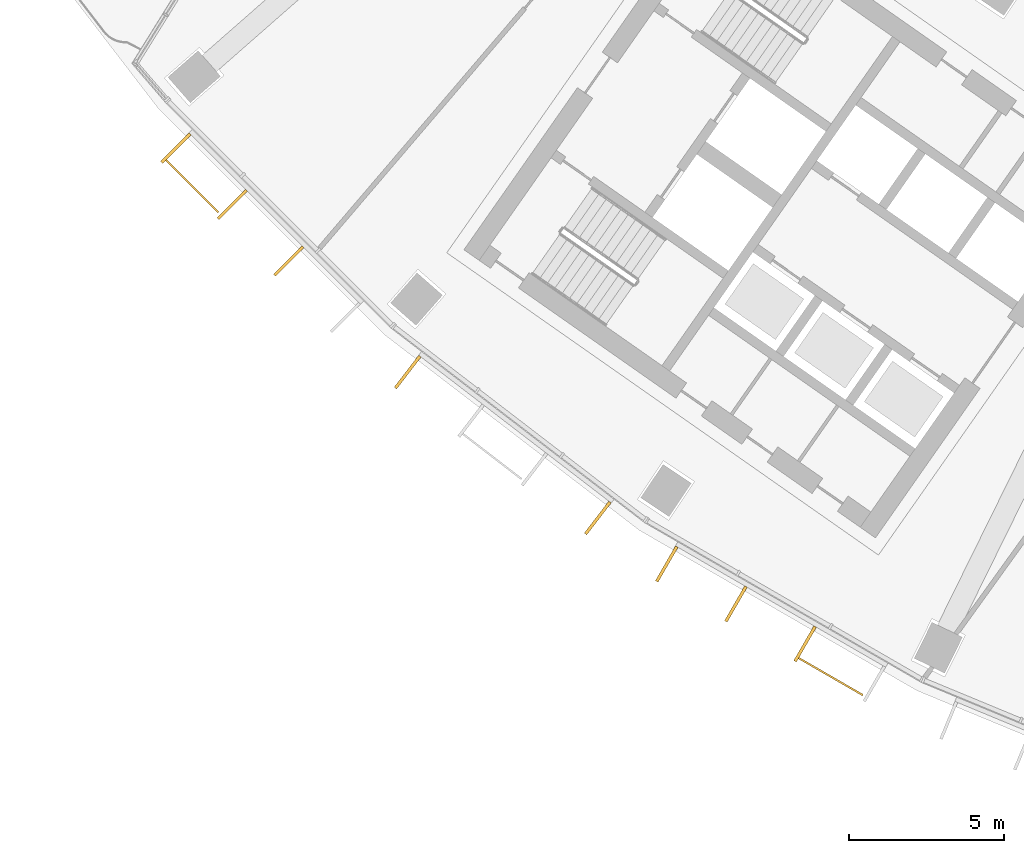
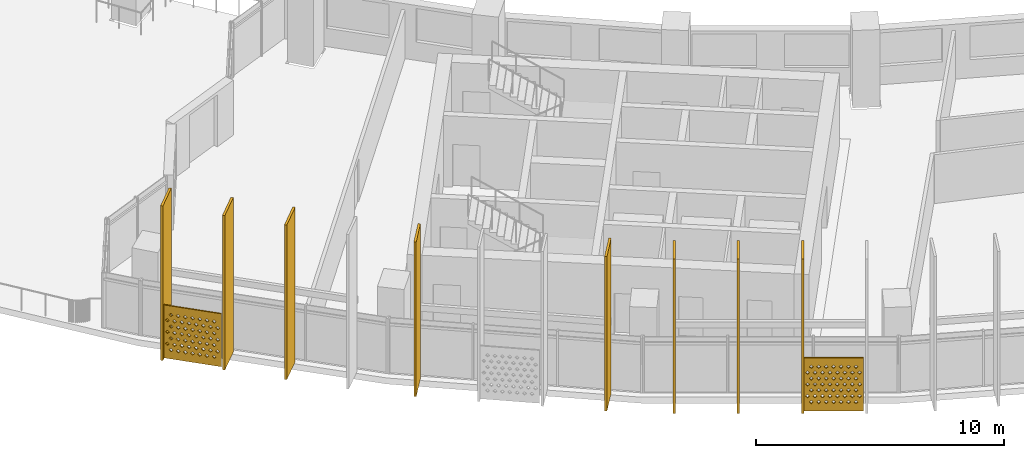
# One storey, part 21 of 31: 10 shading devices.
"""IFC4 building model written with IfcOpenShell, lengths in metres."""

from ifc_helpers import new_model, si_unit, direction, frame, origin, origin_2d, place, context, subcontext, project, spatial, polyline, rectangle, outline, extrude, material, material_profile, profile_set, type_object, element, save


model = new_model("IFC4")

# Units and contexts
model_context = context("Model", 3, precision=1e-05, world=origin(), true_north=direction((0.0, 1.0)))
body_context = subcontext(model_context, "Body", "Model", "MODEL_VIEW")
ifc_project = project(units=[si_unit("LENGTHUNIT", "METRE"), si_unit("AREAUNIT", "SQUARE_METRE"), si_unit("VOLUMEUNIT", "CUBIC_METRE"), si_unit("PLANEANGLEUNIT", "RADIAN"), si_unit("MASSUNIT", "GRAM", prefix="KILO")], contexts=[model_context])

# Site, building, storey
site_placement = place(None, origin())
site = spatial("IfcSite", under=ifc_project, at=site_placement, CompositionType="ELEMENT")
building_placement = place(site_placement, origin())
building = spatial("IfcBuilding", under=site, at=building_placement, Name="Qamariyya Broadcast Tower", CompositionType="ELEMENT")
storey_placement = place(building_placement, frame((0.0, 0.0, 149.300048828125)))
storey = spatial("IfcBuildingStorey", under=building, at=storey_placement, Name="L34", CompositionType="ELEMENT", Elevation=149.300048828125)

# Shading devices
ifc_material_1 = material(Name="Perforated glazed terracotta", Category="masonry")
ifc_material_profile_1 = material_profile(ifc_material_1, outline(polyline([(-1.199951171875, -1.300048828125), (1.199951171875, -1.300048828125), (1.199951171875, 1.300048828125), (-1.199951171875, 1.300048828125), (-1.199951171875, -1.300048828125)]), holes=[polyline([(-0.81494140625, -0.86669921875), (-0.89990234375, -0.78173828125), (-0.985107421875, -0.86669921875), (-0.89990234375, -0.95166015625), (-0.81494140625, -0.86669921875)]), polyline([(-0.514892578125, -0.86669921875), (-0.60009765625, -0.78173828125), (-0.68505859375, -0.86669921875), (-0.60009765625, -0.95166015625), (-0.514892578125, -0.86669921875)]), polyline([(-0.215087890625, -0.86669921875), (-0.300048828125, -0.78173828125), (-0.385009765625, -0.86669921875), (-0.300048828125, -0.95166015625), (-0.215087890625, -0.86669921875)]), polyline([(0.0849609375, -0.86669921875), (0.0, -0.78173828125), (-0.0849609375, -0.86669921875), (0.0, -0.95166015625), (0.0849609375, -0.86669921875)]), polyline([(0.385009765625, -0.86669921875), (0.300048828125, -0.78173828125), (0.215087890625, -0.86669921875), (0.300048828125, -0.95166015625), (0.385009765625, -0.86669921875)]), polyline([(0.68505859375, -0.86669921875), (0.60009765625, -0.78173828125), (0.514892578125, -0.86669921875), (0.60009765625, -0.95166015625), (0.68505859375, -0.86669921875)]), polyline([(0.985107421875, -0.86669921875), (0.89990234375, -0.78173828125), (0.81494140625, -0.86669921875), (0.89990234375, -0.95166015625), (0.985107421875, -0.86669921875)]), polyline([(-0.965087890625, -0.577880859375), (-1.050048828125, -0.49267578125), (-1.135009765625, -0.577880859375), (-1.050048828125, -0.662841796875), (-0.965087890625, -0.577880859375)]), polyline([(-0.6650390625, -0.577880859375), (-0.75, -0.49267578125), (-0.8349609375, -0.577880859375), (-0.75, -0.662841796875), (-0.6650390625, -0.577880859375)]), polyline([(-0.364990234375, -0.577880859375), (-0.449951171875, -0.49267578125), (-0.534912109375, -0.577880859375), (-0.449951171875, -0.662841796875), (-0.364990234375, -0.577880859375)]), polyline([(-0.06494140625, -0.577880859375), (-0.14990234375, -0.49267578125), (-0.235107421875, -0.577880859375), (-0.14990234375, -0.662841796875), (-0.06494140625, -0.577880859375)]), polyline([(0.235107421875, -0.577880859375), (0.14990234375, -0.49267578125), (0.06494140625, -0.577880859375), (0.14990234375, -0.662841796875), (0.235107421875, -0.577880859375)]), polyline([(0.534912109375, -0.577880859375), (0.449951171875, -0.49267578125), (0.364990234375, -0.577880859375), (0.449951171875, -0.662841796875), (0.534912109375, -0.577880859375)]), polyline([(0.8349609375, -0.577880859375), (0.75, -0.49267578125), (0.6650390625, -0.577880859375), (0.75, -0.662841796875), (0.8349609375, -0.577880859375)]), polyline([(1.135009765625, -0.577880859375), (1.050048828125, -0.49267578125), (0.965087890625, -0.577880859375), (1.050048828125, -0.662841796875), (1.135009765625, -0.577880859375)]), polyline([(-0.81494140625, -0.288818359375), (-0.89990234375, -0.203857421875), (-0.985107421875, -0.288818359375), (-0.89990234375, -0.373779296875), (-0.81494140625, -0.288818359375)]), polyline([(-0.514892578125, -0.288818359375), (-0.60009765625, -0.203857421875), (-0.68505859375, -0.288818359375), (-0.60009765625, -0.373779296875), (-0.514892578125, -0.288818359375)]), polyline([(-0.215087890625, -0.288818359375), (-0.300048828125, -0.203857421875), (-0.385009765625, -0.288818359375), (-0.300048828125, -0.373779296875), (-0.215087890625, -0.288818359375)]), polyline([(0.0849609375, -0.288818359375), (0.0, -0.203857421875), (-0.0849609375, -0.288818359375), (0.0, -0.373779296875), (0.0849609375, -0.288818359375)]), polyline([(0.385009765625, -0.288818359375), (0.300048828125, -0.203857421875), (0.215087890625, -0.288818359375), (0.300048828125, -0.373779296875), (0.385009765625, -0.288818359375)]), polyline([(0.68505859375, -0.288818359375), (0.60009765625, -0.203857421875), (0.514892578125, -0.288818359375), (0.60009765625, -0.373779296875), (0.68505859375, -0.288818359375)]), polyline([(0.985107421875, -0.288818359375), (0.89990234375, -0.203857421875), (0.81494140625, -0.288818359375), (0.89990234375, -0.373779296875), (0.985107421875, -0.288818359375)]), polyline([(-0.965087890625, 0.0), (-1.050048828125, 0.0849609375), (-1.135009765625, 0.0), (-1.050048828125, -0.0849609375), (-0.965087890625, 0.0)]), polyline([(-0.6650390625, 0.0), (-0.75, 0.0849609375), (-0.8349609375, 0.0), (-0.75, -0.0849609375), (-0.6650390625, 0.0)]), polyline([(-0.364990234375, 0.0), (-0.449951171875, 0.0849609375), (-0.534912109375, 0.0), (-0.449951171875, -0.0849609375), (-0.364990234375, 0.0)]), polyline([(-0.06494140625, 0.0), (-0.14990234375, 0.0849609375), (-0.235107421875, 0.0), (-0.14990234375, -0.0849609375), (-0.06494140625, 0.0)]), polyline([(0.235107421875, 0.0), (0.14990234375, 0.0849609375), (0.06494140625, 0.0), (0.14990234375, -0.0849609375), (0.235107421875, 0.0)]), polyline([(0.534912109375, 0.0), (0.449951171875, 0.0849609375), (0.364990234375, 0.0), (0.449951171875, -0.0849609375), (0.534912109375, 0.0)]), polyline([(0.8349609375, 0.0), (0.75, 0.0849609375), (0.6650390625, 0.0), (0.75, -0.0849609375), (0.8349609375, 0.0)]), polyline([(1.135009765625, 0.0), (1.050048828125, 0.0849609375), (0.965087890625, 0.0), (1.050048828125, -0.0849609375), (1.135009765625, 0.0)]), polyline([(-0.81494140625, 0.288818359375), (-0.89990234375, 0.373779296875), (-0.985107421875, 0.288818359375), (-0.89990234375, 0.203857421875), (-0.81494140625, 0.288818359375)]), polyline([(-0.514892578125, 0.288818359375), (-0.60009765625, 0.373779296875), (-0.68505859375, 0.288818359375), (-0.60009765625, 0.203857421875), (-0.514892578125, 0.288818359375)]), polyline([(-0.215087890625, 0.288818359375), (-0.300048828125, 0.373779296875), (-0.385009765625, 0.288818359375), (-0.300048828125, 0.203857421875), (-0.215087890625, 0.288818359375)]), polyline([(0.0849609375, 0.288818359375), (0.0, 0.373779296875), (-0.0849609375, 0.288818359375), (0.0, 0.203857421875), (0.0849609375, 0.288818359375)]), polyline([(0.385009765625, 0.288818359375), (0.300048828125, 0.373779296875), (0.215087890625, 0.288818359375), (0.300048828125, 0.203857421875), (0.385009765625, 0.288818359375)]), polyline([(0.68505859375, 0.288818359375), (0.60009765625, 0.373779296875), (0.514892578125, 0.288818359375), (0.60009765625, 0.203857421875), (0.68505859375, 0.288818359375)]), polyline([(0.985107421875, 0.288818359375), (0.89990234375, 0.373779296875), (0.81494140625, 0.288818359375), (0.89990234375, 0.203857421875), (0.985107421875, 0.288818359375)]), polyline([(-0.965087890625, 0.577880859375), (-1.050048828125, 0.662841796875), (-1.135009765625, 0.577880859375), (-1.050048828125, 0.49267578125), (-0.965087890625, 0.577880859375)]), polyline([(-0.6650390625, 0.577880859375), (-0.75, 0.662841796875), (-0.8349609375, 0.577880859375), (-0.75, 0.49267578125), (-0.6650390625, 0.577880859375)]), polyline([(-0.364990234375, 0.577880859375), (-0.449951171875, 0.662841796875), (-0.534912109375, 0.577880859375), (-0.449951171875, 0.49267578125), (-0.364990234375, 0.577880859375)]), polyline([(-0.06494140625, 0.577880859375), (-0.14990234375, 0.662841796875), (-0.235107421875, 0.577880859375), (-0.14990234375, 0.49267578125), (-0.06494140625, 0.577880859375)]), polyline([(0.235107421875, 0.577880859375), (0.14990234375, 0.662841796875), (0.06494140625, 0.577880859375), (0.14990234375, 0.49267578125), (0.235107421875, 0.577880859375)]), polyline([(0.534912109375, 0.577880859375), (0.449951171875, 0.662841796875), (0.364990234375, 0.577880859375), (0.449951171875, 0.49267578125), (0.534912109375, 0.577880859375)]), polyline([(0.8349609375, 0.577880859375), (0.75, 0.662841796875), (0.6650390625, 0.577880859375), (0.75, 0.49267578125), (0.8349609375, 0.577880859375)]), polyline([(1.135009765625, 0.577880859375), (1.050048828125, 0.662841796875), (0.965087890625, 0.577880859375), (1.050048828125, 0.49267578125), (1.135009765625, 0.577880859375)]), polyline([(-0.81494140625, 0.86669921875), (-0.89990234375, 0.95166015625), (-0.985107421875, 0.86669921875), (-0.89990234375, 0.78173828125), (-0.81494140625, 0.86669921875)]), polyline([(-0.514892578125, 0.86669921875), (-0.60009765625, 0.95166015625), (-0.68505859375, 0.86669921875), (-0.60009765625, 0.78173828125), (-0.514892578125, 0.86669921875)]), polyline([(-0.215087890625, 0.86669921875), (-0.300048828125, 0.95166015625), (-0.385009765625, 0.86669921875), (-0.300048828125, 0.78173828125), (-0.215087890625, 0.86669921875)]), polyline([(0.0849609375, 0.86669921875), (0.0, 0.95166015625), (-0.0849609375, 0.86669921875), (0.0, 0.78173828125), (0.0849609375, 0.86669921875)]), polyline([(0.385009765625, 0.86669921875), (0.300048828125, 0.95166015625), (0.215087890625, 0.86669921875), (0.300048828125, 0.78173828125), (0.385009765625, 0.86669921875)]), polyline([(0.68505859375, 0.86669921875), (0.60009765625, 0.95166015625), (0.514892578125, 0.86669921875), (0.60009765625, 0.78173828125), (0.68505859375, 0.86669921875)]), polyline([(0.985107421875, 0.86669921875), (0.89990234375, 0.95166015625), (0.81494140625, 0.86669921875), (0.89990234375, 0.78173828125), (0.985107421875, 0.86669921875)])]))
ifc_profile_set_1 = profile_set([ifc_material_profile_1], Name="Perforated glazed terracotta")
shading_device_type_1 = type_object("IfcShadingDeviceType", Name="Perforated terracotta screen 2400 x 2600", PredefinedType="USERDEFINED", material=ifc_profile_set_1)
shading_device_1_placement = place(storey_placement, frame((-58.49609375, -54.78369140625, 1.349853515625), z_axis=(-0.709141608176, -0.705066081692, 0.0), x_axis=(0.705066081692, -0.709141608176, 0.0)))
element("IfcShadingDevice", 1, at=shading_device_1_placement, inside=storey, type_object=shading_device_type_1, Name="e-scr-L34-01-0", ObjectType="SCREEN", PredefinedType="USERDEFINED", context=body_context, shape_type="SweptSolid", body=[
    extrude(outline(polyline([(-1.199951171875, -1.300048828125), (1.199951171875, -1.300048828125), (1.199951171875, 1.300048828125), (-1.199951171875, 1.300048828125), (-1.199951171875, -1.300048828125)]), holes=[polyline([(-0.81494140625, -0.86669921875), (-0.89990234375, -0.78173828125), (-0.985107421875, -0.86669921875), (-0.89990234375, -0.95166015625), (-0.81494140625, -0.86669921875)]), polyline([(-0.514892578125, -0.86669921875), (-0.60009765625, -0.78173828125), (-0.68505859375, -0.86669921875), (-0.60009765625, -0.95166015625), (-0.514892578125, -0.86669921875)]), polyline([(-0.215087890625, -0.86669921875), (-0.300048828125, -0.78173828125), (-0.385009765625, -0.86669921875), (-0.300048828125, -0.95166015625), (-0.215087890625, -0.86669921875)]), polyline([(0.0849609375, -0.86669921875), (0.0, -0.78173828125), (-0.0849609375, -0.86669921875), (0.0, -0.95166015625), (0.0849609375, -0.86669921875)]), polyline([(0.385009765625, -0.86669921875), (0.300048828125, -0.78173828125), (0.215087890625, -0.86669921875), (0.300048828125, -0.95166015625), (0.385009765625, -0.86669921875)]), polyline([(0.68505859375, -0.86669921875), (0.60009765625, -0.78173828125), (0.514892578125, -0.86669921875), (0.60009765625, -0.95166015625), (0.68505859375, -0.86669921875)]), polyline([(0.985107421875, -0.86669921875), (0.89990234375, -0.78173828125), (0.81494140625, -0.86669921875), (0.89990234375, -0.95166015625), (0.985107421875, -0.86669921875)]), polyline([(-0.965087890625, -0.577880859375), (-1.050048828125, -0.49267578125), (-1.135009765625, -0.577880859375), (-1.050048828125, -0.662841796875), (-0.965087890625, -0.577880859375)]), polyline([(-0.6650390625, -0.577880859375), (-0.75, -0.49267578125), (-0.8349609375, -0.577880859375), (-0.75, -0.662841796875), (-0.6650390625, -0.577880859375)]), polyline([(-0.364990234375, -0.577880859375), (-0.449951171875, -0.49267578125), (-0.534912109375, -0.577880859375), (-0.449951171875, -0.662841796875), (-0.364990234375, -0.577880859375)]), polyline([(-0.06494140625, -0.577880859375), (-0.14990234375, -0.49267578125), (-0.235107421875, -0.577880859375), (-0.14990234375, -0.662841796875), (-0.06494140625, -0.577880859375)]), polyline([(0.235107421875, -0.577880859375), (0.14990234375, -0.49267578125), (0.06494140625, -0.577880859375), (0.14990234375, -0.662841796875), (0.235107421875, -0.577880859375)]), polyline([(0.534912109375, -0.577880859375), (0.449951171875, -0.49267578125), (0.364990234375, -0.577880859375), (0.449951171875, -0.662841796875), (0.534912109375, -0.577880859375)]), polyline([(0.8349609375, -0.577880859375), (0.75, -0.49267578125), (0.6650390625, -0.577880859375), (0.75, -0.662841796875), (0.8349609375, -0.577880859375)]), polyline([(1.135009765625, -0.577880859375), (1.050048828125, -0.49267578125), (0.965087890625, -0.577880859375), (1.050048828125, -0.662841796875), (1.135009765625, -0.577880859375)]), polyline([(-0.81494140625, -0.288818359375), (-0.89990234375, -0.203857421875), (-0.985107421875, -0.288818359375), (-0.89990234375, -0.373779296875), (-0.81494140625, -0.288818359375)]), polyline([(-0.514892578125, -0.288818359375), (-0.60009765625, -0.203857421875), (-0.68505859375, -0.288818359375), (-0.60009765625, -0.373779296875), (-0.514892578125, -0.288818359375)]), polyline([(-0.215087890625, -0.288818359375), (-0.300048828125, -0.203857421875), (-0.385009765625, -0.288818359375), (-0.300048828125, -0.373779296875), (-0.215087890625, -0.288818359375)]), polyline([(0.0849609375, -0.288818359375), (0.0, -0.203857421875), (-0.0849609375, -0.288818359375), (0.0, -0.373779296875), (0.0849609375, -0.288818359375)]), polyline([(0.385009765625, -0.288818359375), (0.300048828125, -0.203857421875), (0.215087890625, -0.288818359375), (0.300048828125, -0.373779296875), (0.385009765625, -0.288818359375)]), polyline([(0.68505859375, -0.288818359375), (0.60009765625, -0.203857421875), (0.514892578125, -0.288818359375), (0.60009765625, -0.373779296875), (0.68505859375, -0.288818359375)]), polyline([(0.985107421875, -0.288818359375), (0.89990234375, -0.203857421875), (0.81494140625, -0.288818359375), (0.89990234375, -0.373779296875), (0.985107421875, -0.288818359375)]), polyline([(-0.965087890625, 0.0), (-1.050048828125, 0.0849609375), (-1.135009765625, 0.0), (-1.050048828125, -0.0849609375), (-0.965087890625, 0.0)]), polyline([(-0.6650390625, 0.0), (-0.75, 0.0849609375), (-0.8349609375, 0.0), (-0.75, -0.0849609375), (-0.6650390625, 0.0)]), polyline([(-0.364990234375, 0.0), (-0.449951171875, 0.0849609375), (-0.534912109375, 0.0), (-0.449951171875, -0.0849609375), (-0.364990234375, 0.0)]), polyline([(-0.06494140625, 0.0), (-0.14990234375, 0.0849609375), (-0.235107421875, 0.0), (-0.14990234375, -0.0849609375), (-0.06494140625, 0.0)]), polyline([(0.235107421875, 0.0), (0.14990234375, 0.0849609375), (0.06494140625, 0.0), (0.14990234375, -0.0849609375), (0.235107421875, 0.0)]), polyline([(0.534912109375, 0.0), (0.449951171875, 0.0849609375), (0.364990234375, 0.0), (0.449951171875, -0.0849609375), (0.534912109375, 0.0)]), polyline([(0.8349609375, 0.0), (0.75, 0.0849609375), (0.6650390625, 0.0), (0.75, -0.0849609375), (0.8349609375, 0.0)]), polyline([(1.135009765625, 0.0), (1.050048828125, 0.0849609375), (0.965087890625, 0.0), (1.050048828125, -0.0849609375), (1.135009765625, 0.0)]), polyline([(-0.81494140625, 0.288818359375), (-0.89990234375, 0.373779296875), (-0.985107421875, 0.288818359375), (-0.89990234375, 0.203857421875), (-0.81494140625, 0.288818359375)]), polyline([(-0.514892578125, 0.288818359375), (-0.60009765625, 0.373779296875), (-0.68505859375, 0.288818359375), (-0.60009765625, 0.203857421875), (-0.514892578125, 0.288818359375)]), polyline([(-0.215087890625, 0.288818359375), (-0.300048828125, 0.373779296875), (-0.385009765625, 0.288818359375), (-0.300048828125, 0.203857421875), (-0.215087890625, 0.288818359375)]), polyline([(0.0849609375, 0.288818359375), (0.0, 0.373779296875), (-0.0849609375, 0.288818359375), (0.0, 0.203857421875), (0.0849609375, 0.288818359375)]), polyline([(0.385009765625, 0.288818359375), (0.300048828125, 0.373779296875), (0.215087890625, 0.288818359375), (0.300048828125, 0.203857421875), (0.385009765625, 0.288818359375)]), polyline([(0.68505859375, 0.288818359375), (0.60009765625, 0.373779296875), (0.514892578125, 0.288818359375), (0.60009765625, 0.203857421875), (0.68505859375, 0.288818359375)]), polyline([(0.985107421875, 0.288818359375), (0.89990234375, 0.373779296875), (0.81494140625, 0.288818359375), (0.89990234375, 0.203857421875), (0.985107421875, 0.288818359375)]), polyline([(-0.965087890625, 0.577880859375), (-1.050048828125, 0.662841796875), (-1.135009765625, 0.577880859375), (-1.050048828125, 0.49267578125), (-0.965087890625, 0.577880859375)]), polyline([(-0.6650390625, 0.577880859375), (-0.75, 0.662841796875), (-0.8349609375, 0.577880859375), (-0.75, 0.49267578125), (-0.6650390625, 0.577880859375)]), polyline([(-0.364990234375, 0.577880859375), (-0.449951171875, 0.662841796875), (-0.534912109375, 0.577880859375), (-0.449951171875, 0.49267578125), (-0.364990234375, 0.577880859375)]), polyline([(-0.06494140625, 0.577880859375), (-0.14990234375, 0.662841796875), (-0.235107421875, 0.577880859375), (-0.14990234375, 0.49267578125), (-0.06494140625, 0.577880859375)]), polyline([(0.235107421875, 0.577880859375), (0.14990234375, 0.662841796875), (0.06494140625, 0.577880859375), (0.14990234375, 0.49267578125), (0.235107421875, 0.577880859375)]), polyline([(0.534912109375, 0.577880859375), (0.449951171875, 0.662841796875), (0.364990234375, 0.577880859375), (0.449951171875, 0.49267578125), (0.534912109375, 0.577880859375)]), polyline([(0.8349609375, 0.577880859375), (0.75, 0.662841796875), (0.6650390625, 0.577880859375), (0.75, 0.49267578125), (0.8349609375, 0.577880859375)]), polyline([(1.135009765625, 0.577880859375), (1.050048828125, 0.662841796875), (0.965087890625, 0.577880859375), (1.050048828125, 0.49267578125), (1.135009765625, 0.577880859375)]), polyline([(-0.81494140625, 0.86669921875), (-0.89990234375, 0.95166015625), (-0.985107421875, 0.86669921875), (-0.89990234375, 0.78173828125), (-0.81494140625, 0.86669921875)]), polyline([(-0.514892578125, 0.86669921875), (-0.60009765625, 0.95166015625), (-0.68505859375, 0.86669921875), (-0.60009765625, 0.78173828125), (-0.514892578125, 0.86669921875)]), polyline([(-0.215087890625, 0.86669921875), (-0.300048828125, 0.95166015625), (-0.385009765625, 0.86669921875), (-0.300048828125, 0.78173828125), (-0.215087890625, 0.86669921875)]), polyline([(0.0849609375, 0.86669921875), (0.0, 0.95166015625), (-0.0849609375, 0.86669921875), (0.0, 0.78173828125), (0.0849609375, 0.86669921875)]), polyline([(0.385009765625, 0.86669921875), (0.300048828125, 0.95166015625), (0.215087890625, 0.86669921875), (0.300048828125, 0.78173828125), (0.385009765625, 0.86669921875)]), polyline([(0.68505859375, 0.86669921875), (0.60009765625, 0.95166015625), (0.514892578125, 0.86669921875), (0.60009765625, 0.78173828125), (0.68505859375, 0.86669921875)]), polyline([(0.985107421875, 0.86669921875), (0.89990234375, 0.95166015625), (0.81494140625, 0.86669921875), (0.89990234375, 0.78173828125), (0.985107421875, 0.86669921875)])]), origin(), (0.0, 0.0, 1.0), 0.059814453125),
])
shading_device_2_placement = place(storey_placement, frame((-37.84912109375, -70.64013671875, 1.349853515625), z_axis=(-0.500074377092, -0.865982457891, 0.0), x_axis=(0.865982457891, -0.500074377092, 0.0)))
element("IfcShadingDevice", 2, at=shading_device_2_placement, inside=storey, type_object=shading_device_type_1, Name="e-scr-L34-03-2", ObjectType="SCREEN", PredefinedType="USERDEFINED", context=body_context, shape_type="SweptSolid", body=[
    extrude(outline(polyline([(-1.199951171875, -1.300048828125), (1.199951171875, -1.300048828125), (1.199951171875, 1.300048828125), (-1.199951171875, 1.300048828125), (-1.199951171875, -1.300048828125)]), holes=[polyline([(-0.81494140625, -0.86669921875), (-0.89990234375, -0.78173828125), (-0.985107421875, -0.86669921875), (-0.89990234375, -0.95166015625), (-0.81494140625, -0.86669921875)]), polyline([(-0.514892578125, -0.86669921875), (-0.60009765625, -0.78173828125), (-0.68505859375, -0.86669921875), (-0.60009765625, -0.95166015625), (-0.514892578125, -0.86669921875)]), polyline([(-0.215087890625, -0.86669921875), (-0.300048828125, -0.78173828125), (-0.385009765625, -0.86669921875), (-0.300048828125, -0.95166015625), (-0.215087890625, -0.86669921875)]), polyline([(0.0849609375, -0.86669921875), (0.0, -0.78173828125), (-0.0849609375, -0.86669921875), (0.0, -0.95166015625), (0.0849609375, -0.86669921875)]), polyline([(0.385009765625, -0.86669921875), (0.300048828125, -0.78173828125), (0.215087890625, -0.86669921875), (0.300048828125, -0.95166015625), (0.385009765625, -0.86669921875)]), polyline([(0.68505859375, -0.86669921875), (0.60009765625, -0.78173828125), (0.514892578125, -0.86669921875), (0.60009765625, -0.95166015625), (0.68505859375, -0.86669921875)]), polyline([(0.985107421875, -0.86669921875), (0.89990234375, -0.78173828125), (0.81494140625, -0.86669921875), (0.89990234375, -0.95166015625), (0.985107421875, -0.86669921875)]), polyline([(-0.965087890625, -0.577880859375), (-1.050048828125, -0.49267578125), (-1.135009765625, -0.577880859375), (-1.050048828125, -0.662841796875), (-0.965087890625, -0.577880859375)]), polyline([(-0.6650390625, -0.577880859375), (-0.75, -0.49267578125), (-0.8349609375, -0.577880859375), (-0.75, -0.662841796875), (-0.6650390625, -0.577880859375)]), polyline([(-0.364990234375, -0.577880859375), (-0.449951171875, -0.49267578125), (-0.534912109375, -0.577880859375), (-0.449951171875, -0.662841796875), (-0.364990234375, -0.577880859375)]), polyline([(-0.06494140625, -0.577880859375), (-0.14990234375, -0.49267578125), (-0.235107421875, -0.577880859375), (-0.14990234375, -0.662841796875), (-0.06494140625, -0.577880859375)]), polyline([(0.235107421875, -0.577880859375), (0.14990234375, -0.49267578125), (0.06494140625, -0.577880859375), (0.14990234375, -0.662841796875), (0.235107421875, -0.577880859375)]), polyline([(0.534912109375, -0.577880859375), (0.449951171875, -0.49267578125), (0.364990234375, -0.577880859375), (0.449951171875, -0.662841796875), (0.534912109375, -0.577880859375)]), polyline([(0.8349609375, -0.577880859375), (0.75, -0.49267578125), (0.6650390625, -0.577880859375), (0.75, -0.662841796875), (0.8349609375, -0.577880859375)]), polyline([(1.135009765625, -0.577880859375), (1.050048828125, -0.49267578125), (0.965087890625, -0.577880859375), (1.050048828125, -0.662841796875), (1.135009765625, -0.577880859375)]), polyline([(-0.81494140625, -0.288818359375), (-0.89990234375, -0.203857421875), (-0.985107421875, -0.288818359375), (-0.89990234375, -0.373779296875), (-0.81494140625, -0.288818359375)]), polyline([(-0.514892578125, -0.288818359375), (-0.60009765625, -0.203857421875), (-0.68505859375, -0.288818359375), (-0.60009765625, -0.373779296875), (-0.514892578125, -0.288818359375)]), polyline([(-0.215087890625, -0.288818359375), (-0.300048828125, -0.203857421875), (-0.385009765625, -0.288818359375), (-0.300048828125, -0.373779296875), (-0.215087890625, -0.288818359375)]), polyline([(0.0849609375, -0.288818359375), (0.0, -0.203857421875), (-0.0849609375, -0.288818359375), (0.0, -0.373779296875), (0.0849609375, -0.288818359375)]), polyline([(0.385009765625, -0.288818359375), (0.300048828125, -0.203857421875), (0.215087890625, -0.288818359375), (0.300048828125, -0.373779296875), (0.385009765625, -0.288818359375)]), polyline([(0.68505859375, -0.288818359375), (0.60009765625, -0.203857421875), (0.514892578125, -0.288818359375), (0.60009765625, -0.373779296875), (0.68505859375, -0.288818359375)]), polyline([(0.985107421875, -0.288818359375), (0.89990234375, -0.203857421875), (0.81494140625, -0.288818359375), (0.89990234375, -0.373779296875), (0.985107421875, -0.288818359375)]), polyline([(-0.965087890625, 0.0), (-1.050048828125, 0.0849609375), (-1.135009765625, 0.0), (-1.050048828125, -0.0849609375), (-0.965087890625, 0.0)]), polyline([(-0.6650390625, 0.0), (-0.75, 0.0849609375), (-0.8349609375, 0.0), (-0.75, -0.0849609375), (-0.6650390625, 0.0)]), polyline([(-0.364990234375, 0.0), (-0.449951171875, 0.0849609375), (-0.534912109375, 0.0), (-0.449951171875, -0.0849609375), (-0.364990234375, 0.0)]), polyline([(-0.06494140625, 0.0), (-0.14990234375, 0.0849609375), (-0.235107421875, 0.0), (-0.14990234375, -0.0849609375), (-0.06494140625, 0.0)]), polyline([(0.235107421875, 0.0), (0.14990234375, 0.0849609375), (0.06494140625, 0.0), (0.14990234375, -0.0849609375), (0.235107421875, 0.0)]), polyline([(0.534912109375, 0.0), (0.449951171875, 0.0849609375), (0.364990234375, 0.0), (0.449951171875, -0.0849609375), (0.534912109375, 0.0)]), polyline([(0.8349609375, 0.0), (0.75, 0.0849609375), (0.6650390625, 0.0), (0.75, -0.0849609375), (0.8349609375, 0.0)]), polyline([(1.135009765625, 0.0), (1.050048828125, 0.0849609375), (0.965087890625, 0.0), (1.050048828125, -0.0849609375), (1.135009765625, 0.0)]), polyline([(-0.81494140625, 0.288818359375), (-0.89990234375, 0.373779296875), (-0.985107421875, 0.288818359375), (-0.89990234375, 0.203857421875), (-0.81494140625, 0.288818359375)]), polyline([(-0.514892578125, 0.288818359375), (-0.60009765625, 0.373779296875), (-0.68505859375, 0.288818359375), (-0.60009765625, 0.203857421875), (-0.514892578125, 0.288818359375)]), polyline([(-0.215087890625, 0.288818359375), (-0.300048828125, 0.373779296875), (-0.385009765625, 0.288818359375), (-0.300048828125, 0.203857421875), (-0.215087890625, 0.288818359375)]), polyline([(0.0849609375, 0.288818359375), (0.0, 0.373779296875), (-0.0849609375, 0.288818359375), (0.0, 0.203857421875), (0.0849609375, 0.288818359375)]), polyline([(0.385009765625, 0.288818359375), (0.300048828125, 0.373779296875), (0.215087890625, 0.288818359375), (0.300048828125, 0.203857421875), (0.385009765625, 0.288818359375)]), polyline([(0.68505859375, 0.288818359375), (0.60009765625, 0.373779296875), (0.514892578125, 0.288818359375), (0.60009765625, 0.203857421875), (0.68505859375, 0.288818359375)]), polyline([(0.985107421875, 0.288818359375), (0.89990234375, 0.373779296875), (0.81494140625, 0.288818359375), (0.89990234375, 0.203857421875), (0.985107421875, 0.288818359375)]), polyline([(-0.965087890625, 0.577880859375), (-1.050048828125, 0.662841796875), (-1.135009765625, 0.577880859375), (-1.050048828125, 0.49267578125), (-0.965087890625, 0.577880859375)]), polyline([(-0.6650390625, 0.577880859375), (-0.75, 0.662841796875), (-0.8349609375, 0.577880859375), (-0.75, 0.49267578125), (-0.6650390625, 0.577880859375)]), polyline([(-0.364990234375, 0.577880859375), (-0.449951171875, 0.662841796875), (-0.534912109375, 0.577880859375), (-0.449951171875, 0.49267578125), (-0.364990234375, 0.577880859375)]), polyline([(-0.06494140625, 0.577880859375), (-0.14990234375, 0.662841796875), (-0.235107421875, 0.577880859375), (-0.14990234375, 0.49267578125), (-0.06494140625, 0.577880859375)]), polyline([(0.235107421875, 0.577880859375), (0.14990234375, 0.662841796875), (0.06494140625, 0.577880859375), (0.14990234375, 0.49267578125), (0.235107421875, 0.577880859375)]), polyline([(0.534912109375, 0.577880859375), (0.449951171875, 0.662841796875), (0.364990234375, 0.577880859375), (0.449951171875, 0.49267578125), (0.534912109375, 0.577880859375)]), polyline([(0.8349609375, 0.577880859375), (0.75, 0.662841796875), (0.6650390625, 0.577880859375), (0.75, 0.49267578125), (0.8349609375, 0.577880859375)]), polyline([(1.135009765625, 0.577880859375), (1.050048828125, 0.662841796875), (0.965087890625, 0.577880859375), (1.050048828125, 0.49267578125), (1.135009765625, 0.577880859375)]), polyline([(-0.81494140625, 0.86669921875), (-0.89990234375, 0.95166015625), (-0.985107421875, 0.86669921875), (-0.89990234375, 0.78173828125), (-0.81494140625, 0.86669921875)]), polyline([(-0.514892578125, 0.86669921875), (-0.60009765625, 0.95166015625), (-0.68505859375, 0.86669921875), (-0.60009765625, 0.78173828125), (-0.514892578125, 0.86669921875)]), polyline([(-0.215087890625, 0.86669921875), (-0.300048828125, 0.95166015625), (-0.385009765625, 0.86669921875), (-0.300048828125, 0.78173828125), (-0.215087890625, 0.86669921875)]), polyline([(0.0849609375, 0.86669921875), (0.0, 0.95166015625), (-0.0849609375, 0.86669921875), (0.0, 0.78173828125), (0.0849609375, 0.86669921875)]), polyline([(0.385009765625, 0.86669921875), (0.300048828125, 0.95166015625), (0.215087890625, 0.86669921875), (0.300048828125, 0.78173828125), (0.385009765625, 0.86669921875)]), polyline([(0.68505859375, 0.86669921875), (0.60009765625, 0.95166015625), (0.514892578125, 0.86669921875), (0.60009765625, 0.78173828125), (0.68505859375, 0.86669921875)]), polyline([(0.985107421875, 0.86669921875), (0.89990234375, 0.95166015625), (0.81494140625, 0.86669921875), (0.89990234375, 0.78173828125), (0.985107421875, 0.86669921875)])]), origin(), (0.0, 0.0, 1.0), 0.06005859375),
])
ifc_material_2 = material(Name="Glazed terracotta", Category="masonry")
ifc_material_profile_2 = material_profile(ifc_material_2, rectangle(XDim=1.300048828125, YDim=0.10009765625, at=origin_2d()))
ifc_profile_set_2 = profile_set([ifc_material_profile_2], Name="Glazed terracotta")
shading_device_type_2 = type_object("IfcShadingDeviceType", Name="Terracotta fin 100 x 1300", PredefinedType="USERDEFINED", material=ifc_profile_set_2)
for number, where, z_axis, x_axis, name in (
    (3, (-59.047607421875, -53.5673828125, 0.0), (0.0, 0.0, 1.0), (-0.707106781187, -0.707106781187, 0.0), "e-fin-L34-01-0"),
    (4, (-57.220947265625, -55.39404296875, 0.0), (0.0, 0.0, 1.0), (-0.707106781187, -0.707106781187, 0.0), "e-fin-L34-01-1"),
    (5, (-55.39404296875, -57.220947265625, 0.0), (0.0, 0.0, 1.0), (-0.707106781187, -0.707106781187, 0.0), "e-fin-L34-01-2"),
    (6, (-51.550537109375, -60.81640625, 0.0), (0.0, 0.0, 1.0), (-0.608761429009, -0.793353340291, 0.0), "e-fin-L34-02-0"),
    (7, (-45.40185546875, -65.534423828125, 0.0), (0.0, 0.0, 1.0), (-0.608761429009, -0.793353340291, 0.0), "e-fin-L34-02-3"),
    (8, (-43.17138671875, -67.024658203125, 0.0), (0.0, 0.0, 1.0), (-0.5, -0.866025403784, 0.0), "e-fin-L34-03-0"),
    (9, (-40.93408203125, -68.31640625, 0.0), (0.0, 0.0, 1.0), (-0.5, -0.866025403784, 0.0), "e-fin-L34-03-1"),
    (10, (-38.69677734375, -69.608154296875, 0.0), (0.0, 0.0, 1.0), (-0.5, -0.866025403784, 0.0), "e-fin-L34-03-2"),
):
    element("IfcShadingDevice", number, at=place(storey_placement, frame(where, z_axis=z_axis, x_axis=x_axis)), inside=storey, type_object=shading_device_type_2, Name=name, ObjectType="FIN", PredefinedType="USERDEFINED", context=body_context, shape_type="SweptSolid", body=[
        extrude(rectangle(XDim=1.300048828125, YDim=0.10009765625, at=origin_2d()), origin(), (0.0, 0.0, 1.0), 7.599853515625),
    ])

save(model, "model.ifc")
